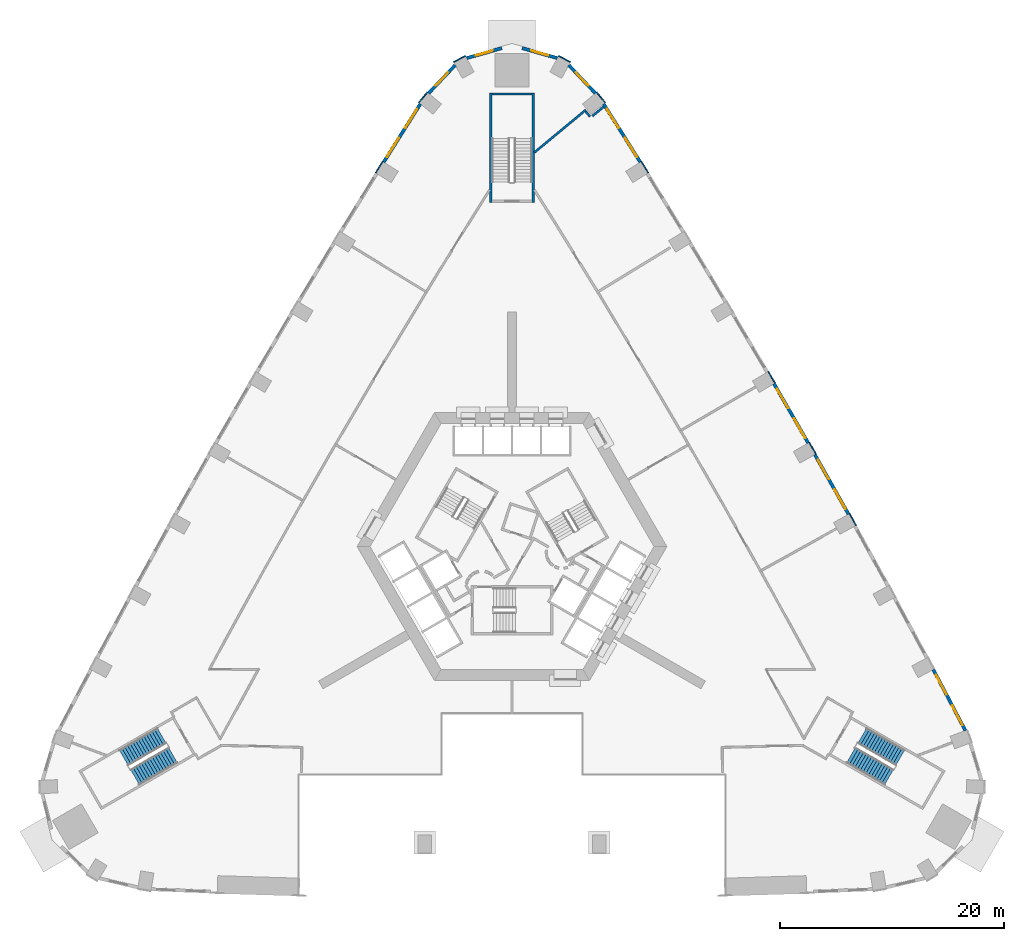
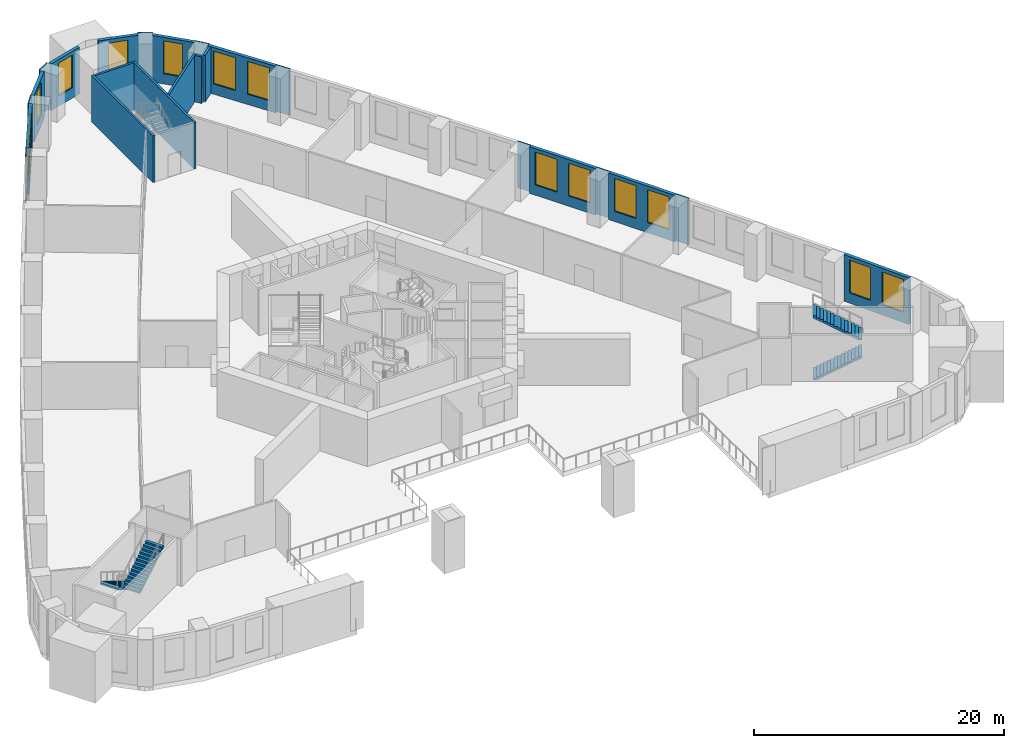
# One storey, part 8 of 16: 24 walls, 14 windows, 4 stair flights, 14 openings, 2 elements without a shape of their own.
"""IFC4 building model written with IfcOpenShell, lengths in metres."""

import ifcopenshell
import ifcopenshell.guid

model = None  # the IFC model being written
_history = None  # IfcOwnerHistory: only IFC2X3 demands one
_inside = {}  # id of a spatial element -> (the spatial element, [elements in it])
_under = {}  # id of a project, library or spatial element -> (it, [spatial elements below it])
_declared = {}  # id of a project -> (the project, [libraries it declares])
_typed = {}  # id of a type object -> (the type object, [elements of that type])
_made_of = {}  # id of a material, layer set ... -> (it, [elements and type objects made of it])


def new_model(schema):
    """Start an empty IFC model of exactly this schema.

    Asked for "IFC4X3", IfcOpenShell would pick the latest addendum, in which some entities
    have other attributes; the version numbers below select the first issue.
    IFC2X3 requires an IfcOwnerHistory on every rooted entity: one is made here for all.
    """
    global model, _history
    if schema == "IFC4X3":
        model = ifcopenshell.file(schema_version=(4, 3, 0, 0))
    else:
        model = ifcopenshell.file(schema=schema)
    _inside.clear()
    _under.clear()
    _declared.clear()
    _typed.clear()
    _made_of.clear()
    _history = None
    if model.schema == "IFC2X3":
        org = make("IfcOrganization", Name="unknown")
        user = make(
            "IfcPersonAndOrganization",
            ThePerson=make("IfcPerson", FamilyName="unknown"),
            TheOrganization=org,
        )
        app = make(
            "IfcApplication",
            ApplicationDeveloper=org,
            Version="unknown",
            ApplicationFullName="unknown",
            ApplicationIdentifier="unknown",
        )
        _history = make(
            "IfcOwnerHistory",
            OwningUser=user,
            OwningApplication=app,
            ChangeAction="ADDED",
            CreationDate=0,
        )
    return model


def make(cls, **values):
    """One entity of the class cls with the attributes given. An attribute that is None is left unset."""
    return model.create_entity(
        cls, **{name: value for name, value in values.items() if value is not None}
    )


def rooted(cls, **values):
    """An entity with a GlobalId (a new one), such as an element, a storey or a relation."""
    return make(cls, GlobalId=ifcopenshell.guid.new(), OwnerHistory=_history, **values)


def si_unit(unit_type, name, prefix=None):
    """IfcSIUnit, for example si_unit("LENGTHUNIT", "METRE", prefix="MILLI")."""
    return make("IfcSIUnit", UnitType=unit_type, Prefix=prefix, Name=name)


def assignment(units):
    """IfcUnitAssignment: the units of a project."""
    return None if units is None else make("IfcUnitAssignment", Units=units)


def point(xyz):
    """IfcCartesianPoint."""
    return None if xyz is None else make("IfcCartesianPoint", Coordinates=xyz)


def direction(xyz):
    """IfcDirection."""
    return None if xyz is None else make("IfcDirection", DirectionRatios=xyz)


def frame(location, z_axis=None, x_axis=None):
    """IfcAxis2Placement3D, a coordinate frame: its origin and axes. An axis left out is left unset."""
    return make(
        "IfcAxis2Placement3D",
        Location=point(location),
        Axis=direction(z_axis),
        RefDirection=direction(x_axis),
    )


def frame_2d(location, x_axis=None):
    """IfcAxis2Placement2D, a coordinate frame in the plane: its origin and x axis."""
    return make(
        "IfcAxis2Placement2D", Location=point(location), RefDirection=direction(x_axis)
    )


def origin():
    """The frame at (0, 0, 0) with its axes left unset."""
    return frame((0.0, 0.0, 0.0))


def place(relative_to, where):
    """IfcLocalPlacement: puts the frame where relative to a parent placement (None: the world)."""
    return make(
        "IfcLocalPlacement", PlacementRelTo=relative_to, RelativePlacement=where
    )


def context(
    kind, dimensions, precision=None, world=None, true_north=None, identifier=None
):
    """IfcGeometricRepresentationContext, for example the 3D "Model" context."""
    return make(
        "IfcGeometricRepresentationContext",
        ContextIdentifier=identifier,
        ContextType=kind,
        CoordinateSpaceDimension=dimensions,
        Precision=precision,
        WorldCoordinateSystem=world,
        TrueNorth=true_north,
    )


def subcontext(parent, identifier, kind, view, scale=None):
    """IfcGeometricRepresentationSubContext, for example "Body" below "Model"."""
    return make(
        "IfcGeometricRepresentationSubContext",
        ContextIdentifier=identifier,
        ContextType=kind,
        ParentContext=parent,
        TargetScale=scale,
        TargetView=view,
    )


def project(units=None, contexts=None):
    """IfcProject with its units and contexts."""
    return rooted(
        "IfcProject",
        Name="project",
        RepresentationContexts=contexts,
        UnitsInContext=assignment(units),
    )


def spatial(cls, under=None, at=None, **own):
    """A site, building, storey or space (cls), placed at a placement, below another one or the project."""
    s = rooted(cls, ObjectPlacement=at, **own)
    if under is not None:
        _under.setdefault(under.id(), (under, []))[1].append(s)
    return s


def polyline(points):
    """IfcPolyline through the points."""
    return make("IfcPolyline", Points=[point(p) for p in points])


def profile(cls, at=None, kind="AREA", **sizes):
    """A parametric profile (cls). Its sizes go by their IFC names, for example OverallWidth=200.0."""
    return make(cls, ProfileType=kind, Position=at, **sizes)


def rectangle(**sizes):
    """IfcRectangleProfileDef."""
    return profile("IfcRectangleProfileDef", **sizes)


def outline(outer, holes=None, kind="AREA"):
    """IfcArbitraryClosedProfileDef: a profile drawn as a closed curve; with holes, ...WithVoids."""
    if holes is None:
        return make("IfcArbitraryClosedProfileDef", ProfileType=kind, OuterCurve=outer)
    return make(
        "IfcArbitraryProfileDefWithVoids",
        ProfileType=kind,
        OuterCurve=outer,
        InnerCurves=holes,
    )


def extrude(swept, where, along, depth):
    """IfcExtrudedAreaSolid: the profile swept, set in the frame where, extruded along a direction by depth."""
    return make(
        "IfcExtrudedAreaSolid",
        SweptArea=swept,
        Position=where,
        ExtrudedDirection=direction(along),
        Depth=depth,
    )


def shape(context_of_items, identifier, shape_type, items):
    """IfcShapeRepresentation: the items that make up one representation, for example the "Body"."""
    return make(
        "IfcShapeRepresentation",
        ContextOfItems=context_of_items,
        RepresentationIdentifier=identifier,
        RepresentationType=shape_type,
        Items=items,
    )


def material(Name=None, Category=None):
    """IfcMaterial."""
    return make("IfcMaterial", Name=Name, Category=Category)


def layer(
    of_material, thickness, ventilated=None, Name=None, Category=None, Priority=None
):
    """IfcMaterialLayer: one layer of a wall or slab, of a material (None: an air gap)."""
    return make(
        "IfcMaterialLayer",
        Material=of_material,
        LayerThickness=thickness,
        IsVentilated=ventilated,
        Name=Name,
        Category=Category,
        Priority=Priority,
    )


def layer_set(layers, Name=None):
    """IfcMaterialLayerSet."""
    return make("IfcMaterialLayerSet", MaterialLayers=layers, LayerSetName=Name)


def made_of(thing, what):
    """Note that an element or type object is made of a material, layer set ...; save() writes the relation."""
    if what is not None:
        _made_of.setdefault(what.id(), (what, []))[1].append(thing)
    return thing


def type_object(cls, material=None, **own):
    """A type object (cls), such as IfcWallType, which elements share."""
    return made_of(rooted(cls, **own), material)


def element(
    cls,
    number,
    at=None,
    inside=None,
    cuts=None,
    type_object=None,
    material=None,
    context=None,
    identifier="Body",
    shape_type=None,
    held_by="IfcProductDefinitionShape",
    body=None,
    shapes=None,
    **own,
):
    """One element of the class cls, such as IfcWall. Its Tag is "e" and its number.

    at: its placement. inside: the storey or other place that contains it. cuts: it is an
    opening in that element (IfcRelVoidsElement). A single representation is given by context,
    identifier, shape_type and body (its items); several are given by shapes. held_by: the class
    of the entity that holds the representations. save() writes the other relations.
    """
    e = rooted(cls, Tag="e%d" % number, ObjectPlacement=at, **own)
    if body is not None:
        shapes = [shape(context, identifier, shape_type, body)]
    if shapes is not None:
        e.Representation = make(held_by, Representations=shapes)
    if inside is not None:
        _inside.setdefault(inside.id(), (inside, []))[1].append(e)
    if cuts is not None:
        rooted(
            "IfcRelVoidsElement", RelatingBuildingElement=cuts, RelatedOpeningElement=e
        )
    if type_object is not None:
        _typed.setdefault(type_object.id(), (type_object, []))[1].append(e)
    return made_of(e, material)


def fill(opening, filler):
    """IfcRelFillsElement: the door or window that sits in an opening."""
    return rooted(
        "IfcRelFillsElement",
        RelatingOpeningElement=opening,
        RelatedBuildingElement=filler,
    )


def aggregate(whole, parts):
    """IfcRelAggregates: a whole, such as a stair, and the parts it consists of."""
    return rooted("IfcRelAggregates", RelatingObject=whole, RelatedObjects=parts)


def save(model, path):
    """Write the relations noted so far, then the file.

    IfcRelAggregates (storeys below a building ...), IfcRelContainedInSpatialStructure (elements
    in a storey), IfcRelDefinesByType, IfcRelAssociatesMaterial and IfcRelDeclares: one each for
    every whole, place, type object, material and project.
    """
    for whole, parts in _under.values():
        aggregate(whole, parts)
    for where, things in _inside.values():
        rooted(
            "IfcRelContainedInSpatialStructure",
            RelatedElements=things,
            RelatingStructure=where,
        )
    for kind, things in _typed.values():
        rooted("IfcRelDefinesByType", RelatedObjects=things, RelatingType=kind)
    for what, things in _made_of.values():
        rooted("IfcRelAssociatesMaterial", RelatedObjects=things, RelatingMaterial=what)
    for by, libraries in _declared.values():
        rooted("IfcRelDeclares", RelatingContext=by, RelatedDefinitions=libraries)
    model.write(path)


model = new_model("IFC4")

# Units and contexts
model_context = context("Model", 3, precision=1e-05, world=origin(), true_north=direction((0.0, 1.0)))
body_context = subcontext(model_context, "Body", "Model", "MODEL_VIEW")
ifc_project = project(units=[si_unit("LENGTHUNIT", "METRE"), si_unit("AREAUNIT", "SQUARE_METRE"), si_unit("VOLUMEUNIT", "CUBIC_METRE"), si_unit("PLANEANGLEUNIT", "RADIAN"), si_unit("MASSUNIT", "GRAM", prefix="KILO")], contexts=[model_context])

# Site, building, storey
site_placement = place(None, origin())
site = spatial("IfcSite", under=ifc_project, at=site_placement, CompositionType="ELEMENT")
building_placement = place(site_placement, origin())
building = spatial("IfcBuilding", under=site, at=building_placement, Name="Entoto Arch Interchange Tower", CompositionType="ELEMENT")
storey_placement = place(building_placement, frame((0.0, 0.0, 15.0)))
storey = spatial("IfcBuildingStorey", under=building, at=storey_placement, Name="L02", CompositionType="ELEMENT", Elevation=15.0)

# Walls
ifc_material_1 = material(Name="Gypsum board partition on steel studs", Category="steel")
ifc_layer_1 = layer(ifc_material_1, 0.199951171875)
ifc_layer_set_1 = layer_set([ifc_layer_1], Name="Gypsum board partition on steel studs")
wall_type_1 = type_object("IfcWallType", Name="PARTITION 200", PredefinedType="PARTITIONING", material=ifc_layer_set_1)
wall_1_placement = place(storey_placement, frame((2.0, 37.758056640625, 0.0), z_axis=(0.0, 0.0, 1.0), x_axis=(0.7702988792, 0.637683022122, 0.0)))
element("IfcWall", 1, at=wall_1_placement, inside=storey, type_object=wall_type_1, Name="wall:L02:p057", PredefinedType="PARTITIONING", context=body_context, shape_type="SweptSolid", body=[
    extrude(rectangle(XDim=5.9794921875, YDim=0.199951171875, at=frame_2d((2.98974609375, 0.0))), origin(), (0.0, 0.0, 1.0), 4.550048828125),
])
wall_2_placement = place(storey_placement, frame((6.593017578125, 41.429931640625, 0.0), z_axis=(0.0, 0.0, 1.0), x_axis=(0.636576557089, -0.771213515808, 0.0)))
element("IfcWall", 2, at=wall_2_placement, inside=storey, type_object=wall_type_1, Name="wall:L02:p058", PredefinedType="PARTITIONING", context=body_context, shape_type="SweptSolid", body=[
    extrude(rectangle(XDim=0.60009765625, YDim=0.199951171875, at=frame_2d((0.300048828125, 0.0))), origin(), (0.0, 0.0, 1.0), 4.550048828125),
])
wall_3_placement = place(storey_placement, frame((7.193115234375, 41.01806640625, 0.0), z_axis=(0.0, 0.0, 1.0), x_axis=(0.77046149962, 0.637486531311, 0.0)))
element("IfcWall", 3, at=wall_3_placement, inside=storey, type_object=wall_type_1, Name="wall:L02:p059", PredefinedType="PARTITIONING", context=body_context, shape_type="SweptSolid", body=[
    extrude(rectangle(XDim=1.29248046875, YDim=0.199951171875, at=frame_2d((0.646240234375, 0.0))), origin(), (0.0, 0.0, 1.0), 4.550048828125),
])
ifc_material_2 = material(Name="Concrete C40/50", Category="concrete")
ifc_layer_2 = layer(ifc_material_2, 0.199951171875)
ifc_layer_set_2 = layer_set([ifc_layer_2], Name="Concrete C40/50")
wall_type_2 = type_object("IfcWallType", Name="STAIR ENCLOSURE WALL 200", PredefinedType="STANDARD", material=ifc_layer_set_2)
for number, where, z_axis, x_axis, name in (
    (4, (1.89990234375, 33.300048828125, 0.0), (0.0, 0.0, 1.0), (0.0, 1.0, 0.0), "Stair wall PST-N left"),
    (5, (-1.89990234375, 33.300048828125, 0.0), (0.0, 0.0, 1.0), (0.0, 1.0, 0.0), "Stair wall PST-N right"),
):
    element("IfcWall", number, at=place(storey_placement, frame(where, z_axis=z_axis, x_axis=x_axis)), inside=storey, type_object=wall_type_2, Name=name, PredefinedType="STANDARD", context=body_context, shape_type="SweptSolid", body=[
        extrude(rectangle(XDim=9.800048828125, YDim=0.199951171875, at=frame_2d((4.89990234375, 0.0))), origin(), (0.0, 0.0, 1.0), 4.550048828125),
    ])
wall_4_placement = place(storey_placement, frame((1.800048828125, 43.0, 0.0), z_axis=(0.0, 0.0, 1.0), x_axis=(-1.0, 0.0, 0.0)))
element("IfcWall", 6, at=wall_4_placement, inside=storey, type_object=wall_type_2, Name="Stair wall PST-N far", PredefinedType="STANDARD", context=body_context, shape_type="SweptSolid", body=[
    extrude(rectangle(XDim=3.60009765625, YDim=0.199951171875, at=frame_2d((1.800048828125, 0.0))), origin(), (0.0, 0.0, 1.0), 4.550048828125),
])

# Wall, openings, windows
ifc_material_3 = material(Name="Welded tuff (ignimbrite) cladding, warm buff", Category="masonry")
ifc_layer_3 = layer(ifc_material_3, 0.300048828125)
ifc_layer_set_3 = layer_set([ifc_layer_3], Name="Welded tuff (ignimbrite) cladding, warm buff")
wall_type_3 = type_object("IfcWallType", Name="STONE INFILL WALL 300", PredefinedType="STANDARD", material=ifc_layer_set_3)
wall_5_placement = place(storey_placement, frame((40.568115234375, -13.9560546875, 0.0), z_axis=(0.0, 0.0, 1.0), x_axis=(-0.466125129602, 0.884718804792, 0.0)))
wall_5 = element("IfcWall", 7, at=wall_5_placement, inside=storey, type_object=wall_type_3, Name="Facade wall NE-01 L02", PredefinedType="STANDARD", context=body_context, shape_type="SweptSolid", body=[
    extrude(rectangle(XDim=6.16357421875, YDim=0.300048828125, at=frame_2d((3.081787109375, 0.0))), origin(), (0.0, 0.0, 1.0), 4.550048828125),
])
opening_1_placement = place(wall_5_placement, frame((0.541015625, 0.0, 1.0)))
opening_1 = element("IfcOpeningElement", 8, at=opening_1_placement, cuts=wall_5, Name="Opening WP-E", PredefinedType="OPENING", context=body_context, shape_type="SweptSolid", body=[
    extrude(rectangle(XDim=2.0, YDim=3.199951171875, at=frame_2d((1.0, 1.60009765625))), frame((0.0, 0.16015625, 0.0), z_axis=(0.0, -1.0, 0.0), x_axis=(1.0, 0.0, 0.0)), (0.0, 0.0, 1.0), 0.320068359375),
])
opening_2_placement = place(wall_5_placement, frame((3.623046875, 0.0, 1.0)))
opening_2 = element("IfcOpeningElement", 9, at=opening_2_placement, cuts=wall_5, Name="Opening WP-E", PredefinedType="OPENING", context=body_context, shape_type="SweptSolid", body=[
    extrude(rectangle(XDim=2.0, YDim=3.199951171875, at=frame_2d((1.0, 1.60009765625))), frame((0.0, 0.16015625, 0.0), z_axis=(0.0, -1.0, 0.0), x_axis=(1.0, 0.0, 0.0)), (0.0, 0.0, 1.0), 0.320068359375),
])
ifc_material_4 = material(Name="Clear glass, low-e double glazed", Category="glass")
window_type_1 = type_object("IfcWindowType", Name="WINDOW WP-E 2000x3200", PartitioningType="DOUBLE_PANEL_VERTICAL", PredefinedType="WINDOW", material=ifc_material_4)
window_1_placement = place(opening_1_placement, origin())
window_1 = element("IfcWindow", 10, at=window_1_placement, inside=storey, type_object=window_type_1, Name="Window WP-E NE-01 L02", OverallHeight=3.199951171875, OverallWidth=2.0, PartitioningType="SINGLE_PANEL", PredefinedType="WINDOW", context=body_context, shape_type="SweptSolid", body=[
    extrude(rectangle(XDim=2.0, YDim=3.199951171875, at=frame_2d((1.0, 1.60009765625))), frame((0.0, 0.030029296875, 0.0), z_axis=(0.0, -1.0, 0.0), x_axis=(1.0, 0.0, 0.0)), (0.0, 0.0, 1.0), 0.06005859375),
])
fill(opening_1, window_1)
window_2_placement = place(opening_2_placement, origin())
window_2 = element("IfcWindow", 11, at=window_2_placement, inside=storey, type_object=window_type_1, Name="Window WP-E NE-01 L02", OverallHeight=3.199951171875, OverallWidth=2.0, PartitioningType="SINGLE_PANEL", PredefinedType="WINDOW", context=body_context, shape_type="SweptSolid", body=[
    extrude(rectangle(XDim=2.0, YDim=3.199951171875, at=frame_2d((1.0, 1.60009765625))), frame((0.0, 0.030029296875, 0.0), z_axis=(0.0, -1.0, 0.0), x_axis=(1.0, 0.0, 0.0)), (0.0, 0.0, 1.0), 0.06005859375),
])
fill(opening_2, window_2)

wall_6_placement = place(storey_placement, frame((30.111083984375, 5.39892578125, 0.0), z_axis=(0.0, 0.0, 1.0), x_axis=(-0.491661677717, 0.870786308267, 0.0)))
wall_6 = element("IfcWall", 12, at=wall_6_placement, inside=storey, type_object=wall_type_3, Name="Facade wall NE-04 L02", PredefinedType="STANDARD", context=body_context, shape_type="SweptSolid", body=[
    extrude(rectangle(XDim=6.1220703125, YDim=0.300048828125, at=frame_2d((3.06103515625, 0.0))), origin(), (0.0, 0.0, 1.0), 4.550048828125),
])
opening_3_placement = place(wall_6_placement, frame((0.531005859375, 0.0, 1.0)))
opening_3 = element("IfcOpeningElement", 13, at=opening_3_placement, cuts=wall_6, Name="Opening WP-E", PredefinedType="OPENING", context=body_context, shape_type="SweptSolid", body=[
    extrude(rectangle(XDim=2.0, YDim=3.199951171875, at=frame_2d((1.0, 1.60009765625))), frame((0.0, 0.16015625, 0.0), z_axis=(0.0, -1.0, 0.0), x_axis=(1.0, 0.0, 0.0)), (0.0, 0.0, 1.0), 0.320068359375),
])
opening_4_placement = place(wall_6_placement, frame((3.592041015625, 0.0, 1.0)))
opening_4 = element("IfcOpeningElement", 14, at=opening_4_placement, cuts=wall_6, Name="Opening WP-E", PredefinedType="OPENING", context=body_context, shape_type="SweptSolid", body=[
    extrude(rectangle(XDim=2.0, YDim=3.199951171875, at=frame_2d((1.0, 1.60009765625))), frame((0.0, 0.16015625, 0.0), z_axis=(0.0, -1.0, 0.0), x_axis=(1.0, 0.0, 0.0)), (0.0, 0.0, 1.0), 0.320068359375),
])
window_3_placement = place(opening_3_placement, origin())
window_3 = element("IfcWindow", 15, at=window_3_placement, inside=storey, type_object=window_type_1, Name="Window WP-E NE-04 L02", OverallHeight=3.199951171875, OverallWidth=2.0, PartitioningType="SINGLE_PANEL", PredefinedType="WINDOW", context=body_context, shape_type="SweptSolid", body=[
    extrude(rectangle(XDim=2.0, YDim=3.199951171875, at=frame_2d((1.0, 1.60009765625))), frame((0.0, 0.030029296875, 0.0), z_axis=(0.0, -1.0, 0.0), x_axis=(1.0, 0.0, 0.0)), (0.0, 0.0, 1.0), 0.06005859375),
])
fill(opening_3, window_3)
window_4_placement = place(opening_4_placement, origin())
window_4 = element("IfcWindow", 16, at=window_4_placement, inside=storey, type_object=window_type_1, Name="Window WP-E NE-04 L02", OverallHeight=3.199951171875, OverallWidth=2.0, PartitioningType="SINGLE_PANEL", PredefinedType="WINDOW", context=body_context, shape_type="SweptSolid", body=[
    extrude(rectangle(XDim=2.0, YDim=3.199951171875, at=frame_2d((1.0, 1.60009765625))), frame((0.0, 0.030029296875, 0.0), z_axis=(0.0, -1.0, 0.0), x_axis=(1.0, 0.0, 0.0)), (0.0, 0.0, 1.0), 0.06005859375),
])
fill(opening_4, window_4)

wall_7_placement = place(storey_placement, frame((26.507080078125, 11.77001953125, 0.0), z_axis=(0.0, 0.0, 1.0), x_axis=(-0.499939977436, 0.866060055055, 0.0)))
wall_7 = element("IfcWall", 17, at=wall_7_placement, inside=storey, type_object=wall_type_3, Name="Facade wall NE-05 L02", PredefinedType="STANDARD", context=body_context, shape_type="SweptSolid", body=[
    extrude(rectangle(XDim=6.120849609375, YDim=0.300048828125, at=frame_2d((3.060546875, 0.0))), origin(), (0.0, 0.0, 1.0), 4.550048828125),
])
opening_5_placement = place(wall_7_placement, frame((0.530029296875, 0.0, 1.0)))
opening_5 = element("IfcOpeningElement", 18, at=opening_5_placement, cuts=wall_7, Name="Opening WP-E", PredefinedType="OPENING", context=body_context, shape_type="SweptSolid", body=[
    extrude(rectangle(XDim=2.0, YDim=3.199951171875, at=frame_2d((1.0, 1.60009765625))), frame((0.0, 0.16015625, 0.0), z_axis=(0.0, -1.0, 0.0), x_axis=(1.0, 0.0, 0.0)), (0.0, 0.0, 1.0), 0.320068359375),
])
opening_6_placement = place(wall_7_placement, frame((3.591064453125, 0.0, 1.0)))
opening_6 = element("IfcOpeningElement", 19, at=opening_6_placement, cuts=wall_7, Name="Opening WP-E", PredefinedType="OPENING", context=body_context, shape_type="SweptSolid", body=[
    extrude(rectangle(XDim=2.0, YDim=3.199951171875, at=frame_2d((1.0, 1.60009765625))), frame((0.0, 0.16015625, 0.0), z_axis=(0.0, -1.0, 0.0), x_axis=(1.0, 0.0, 0.0)), (0.0, 0.0, 1.0), 0.320068359375),
])
window_5_placement = place(opening_5_placement, origin())
window_5 = element("IfcWindow", 20, at=window_5_placement, inside=storey, type_object=window_type_1, Name="Window WP-E NE-05 L02", OverallHeight=3.199951171875, OverallWidth=2.0, PartitioningType="SINGLE_PANEL", PredefinedType="WINDOW", context=body_context, shape_type="SweptSolid", body=[
    extrude(rectangle(XDim=2.0, YDim=3.199951171875, at=frame_2d((1.0, 1.60009765625))), frame((0.0, 0.030029296875, 0.0), z_axis=(0.0, -1.0, 0.0), x_axis=(1.0, 0.0, 0.0)), (0.0, 0.0, 1.0), 0.06005859375),
])
fill(opening_5, window_5)
window_6_placement = place(opening_6_placement, origin())
window_6 = element("IfcWindow", 21, at=window_6_placement, inside=storey, type_object=window_type_1, Name="Window WP-E NE-05 L02", OverallHeight=3.199951171875, OverallWidth=2.0, PartitioningType="SINGLE_PANEL", PredefinedType="WINDOW", context=body_context, shape_type="SweptSolid", body=[
    extrude(rectangle(XDim=2.0, YDim=3.199951171875, at=frame_2d((1.0, 1.60009765625))), frame((0.0, 0.030029296875, 0.0), z_axis=(0.0, -1.0, 0.0), x_axis=(1.0, 0.0, 0.0)), (0.0, 0.0, 1.0), 0.06005859375),
])
fill(opening_6, window_6)

wall_8_placement = place(storey_placement, frame((11.48291015625, 36.89697265625, 0.0), z_axis=(0.0, 0.0, 1.0), x_axis=(-0.53304020879, 0.846089910006, 0.0)))
wall_8 = element("IfcWall", 22, at=wall_8_placement, inside=storey, type_object=wall_type_3, Name="Facade wall NE-09 L02", PredefinedType="STANDARD", context=body_context, shape_type="SweptSolid", body=[
    extrude(rectangle(XDim=6.16259765625, YDim=0.300048828125, at=frame_2d((3.081298828125, 0.0))), origin(), (0.0, 0.0, 1.0), 4.550048828125),
])
opening_7_placement = place(wall_8_placement, frame((0.541015625, 0.0, 1.0)))
opening_7 = element("IfcOpeningElement", 23, at=opening_7_placement, cuts=wall_8, Name="Opening WP-E", PredefinedType="OPENING", context=body_context, shape_type="SweptSolid", body=[
    extrude(rectangle(XDim=2.0, YDim=3.199951171875, at=frame_2d((1.0, 1.60009765625))), frame((0.0, 0.16015625, 0.0), z_axis=(0.0, -1.0, 0.0), x_axis=(1.0, 0.0, 0.0)), (0.0, 0.0, 1.0), 0.320068359375),
])
opening_8_placement = place(wall_8_placement, frame((3.6220703125, 0.0, 1.0)))
opening_8 = element("IfcOpeningElement", 24, at=opening_8_placement, cuts=wall_8, Name="Opening WP-E", PredefinedType="OPENING", context=body_context, shape_type="SweptSolid", body=[
    extrude(rectangle(XDim=2.0, YDim=3.199951171875, at=frame_2d((1.0, 1.60009765625))), frame((0.0, 0.16015625, 0.0), z_axis=(0.0, -1.0, 0.0), x_axis=(1.0, 0.0, 0.0)), (0.0, 0.0, 1.0), 0.320068359375),
])
window_7_placement = place(opening_7_placement, origin())
window_7 = element("IfcWindow", 25, at=window_7_placement, inside=storey, type_object=window_type_1, Name="Window WP-E NE-09 L02", OverallHeight=3.199951171875, OverallWidth=2.0, PartitioningType="SINGLE_PANEL", PredefinedType="WINDOW", context=body_context, shape_type="SweptSolid", body=[
    extrude(rectangle(XDim=2.0, YDim=3.199951171875, at=frame_2d((1.0, 1.60009765625))), frame((0.0, 0.030029296875, 0.0), z_axis=(0.0, -1.0, 0.0), x_axis=(1.0, 0.0, 0.0)), (0.0, 0.0, 1.0), 0.06005859375),
])
fill(opening_7, window_7)
window_8_placement = place(opening_8_placement, origin())
window_8 = element("IfcWindow", 26, at=window_8_placement, inside=storey, type_object=window_type_1, Name="Window WP-E NE-09 L02", OverallHeight=3.199951171875, OverallWidth=2.0, PartitioningType="SINGLE_PANEL", PredefinedType="WINDOW", context=body_context, shape_type="SweptSolid", body=[
    extrude(rectangle(XDim=2.0, YDim=3.199951171875, at=frame_2d((1.0, 1.60009765625))), frame((0.0, 0.030029296875, 0.0), z_axis=(0.0, -1.0, 0.0), x_axis=(1.0, 0.0, 0.0)), (0.0, 0.0, 1.0), 0.06005859375),
])
fill(opening_8, window_8)

# Wall, opening, window
wall_9_placement = place(storey_placement, frame((7.464111328125, 43.05810546875, 0.0), z_axis=(0.0, 0.0, 1.0), x_axis=(-0.687081126245, 0.726580708495, 0.0)))
wall_9 = element("IfcWall", 27, at=wall_9_placement, inside=storey, type_object=wall_type_3, Name="Facade wall N-01 L02", PredefinedType="STANDARD", context=body_context, shape_type="SweptSolid", body=[
    extrude(rectangle(XDim=3.461181640625, YDim=0.300048828125, at=frame_2d((1.73046875, 0.0))), origin(), (0.0, 0.0, 1.0), 4.550048828125),
])
opening_9_placement = place(wall_9_placement, frame((0.930908203125, 0.0, 1.0)))
opening_9 = element("IfcOpeningElement", 28, at=opening_9_placement, cuts=wall_9, Name="Opening WP-C", PredefinedType="OPENING", context=body_context, shape_type="SweptSolid", body=[
    extrude(rectangle(XDim=1.60009765625, YDim=3.199951171875, at=frame_2d((0.800048828125, 1.60009765625))), frame((0.0, 0.16015625, 0.0), z_axis=(0.0, -1.0, 0.0), x_axis=(1.0, 0.0, 0.0)), (0.0, 0.0, 1.0), 0.320068359375),
])
window_type_2 = type_object("IfcWindowType", Name="WINDOW WP-C 1600x3200", PartitioningType="DOUBLE_PANEL_VERTICAL", PredefinedType="WINDOW", material=ifc_material_4)
window_9_placement = place(opening_9_placement, origin())
window_9 = element("IfcWindow", 29, at=window_9_placement, inside=storey, type_object=window_type_2, Name="Window WP-C N-01 L02", OverallHeight=3.199951171875, OverallWidth=1.60009765625, PartitioningType="SINGLE_PANEL", PredefinedType="WINDOW", context=body_context, shape_type="SweptSolid", body=[
    extrude(rectangle(XDim=1.60009765625, YDim=3.199951171875, at=frame_2d((0.800048828125, 1.60009765625))), frame((0.0, 0.030029296875, 0.0), z_axis=(0.0, -1.0, 0.0), x_axis=(1.0, 0.0, 0.0)), (0.0, 0.0, 1.0), 0.06005859375),
])
fill(opening_9, window_9)

wall_10_placement = place(storey_placement, frame((4.06396484375, 46.201904296875, 0.0), z_axis=(0.0, 0.0, 1.0), x_axis=(-0.961934470867, 0.273280211062, 0.0)))
wall_10 = element("IfcWall", 30, at=wall_10_placement, inside=storey, type_object=wall_type_3, Name="Facade wall N-02 L02", PredefinedType="STANDARD", context=body_context, shape_type="SweptSolid", body=[
    extrude(rectangle(XDim=3.290283203125, YDim=0.300048828125, at=frame_2d((1.64501953125, 0.0))), origin(), (0.0, 0.0, 1.0), 4.550048828125),
])
opening_10_placement = place(wall_10_placement, frame((0.844970703125, 0.0, 1.0)))
opening_10 = element("IfcOpeningElement", 31, at=opening_10_placement, cuts=wall_10, Name="Opening WP-C", PredefinedType="OPENING", context=body_context, shape_type="SweptSolid", body=[
    extrude(rectangle(XDim=1.60009765625, YDim=3.199951171875, at=frame_2d((0.800048828125, 1.60009765625))), frame((0.0, 0.16015625, 0.0), z_axis=(0.0, -1.0, 0.0), x_axis=(1.0, 0.0, 0.0)), (0.0, 0.0, 1.0), 0.320068359375),
])
window_10_placement = place(opening_10_placement, origin())
window_10 = element("IfcWindow", 32, at=window_10_placement, inside=storey, type_object=window_type_2, Name="Window WP-C N-02 L02", OverallHeight=3.199951171875, OverallWidth=1.60009765625, PartitioningType="SINGLE_PANEL", PredefinedType="WINDOW", context=body_context, shape_type="SweptSolid", body=[
    extrude(rectangle(XDim=1.60009765625, YDim=3.199951171875, at=frame_2d((0.800048828125, 1.60009765625))), frame((0.0, 0.030029296875, 0.0), z_axis=(0.0, -1.0, 0.0), x_axis=(1.0, 0.0, 0.0)), (0.0, 0.0, 1.0), 0.06005859375),
])
fill(opening_10, window_10)

wall_11_placement = place(storey_placement, frame((-0.89892578125, 47.10107421875, 0.0), z_axis=(0.0, 0.0, 1.0), x_axis=(-0.961934470867, -0.273280211062, 0.0)))
wall_11 = element("IfcWall", 33, at=wall_11_placement, inside=storey, type_object=wall_type_3, Name="Facade wall N-03 L02", PredefinedType="STANDARD", context=body_context, shape_type="SweptSolid", body=[
    extrude(rectangle(XDim=3.290283203125, YDim=0.300048828125, at=frame_2d((1.64501953125, 0.0))), origin(), (0.0, 0.0, 1.0), 4.550048828125),
])
opening_11_placement = place(wall_11_placement, frame((0.844970703125, 0.0, 1.0)))
opening_11 = element("IfcOpeningElement", 34, at=opening_11_placement, cuts=wall_11, Name="Opening WP-C", PredefinedType="OPENING", context=body_context, shape_type="SweptSolid", body=[
    extrude(rectangle(XDim=1.60009765625, YDim=3.199951171875, at=frame_2d((0.800048828125, 1.60009765625))), frame((0.0, 0.16015625, 0.0), z_axis=(0.0, -1.0, 0.0), x_axis=(1.0, 0.0, 0.0)), (0.0, 0.0, 1.0), 0.320068359375),
])
window_11_placement = place(opening_11_placement, origin())
window_11 = element("IfcWindow", 35, at=window_11_placement, inside=storey, type_object=window_type_2, Name="Window WP-C N-03 L02", OverallHeight=3.199951171875, OverallWidth=1.60009765625, PartitioningType="SINGLE_PANEL", PredefinedType="WINDOW", context=body_context, shape_type="SweptSolid", body=[
    extrude(rectangle(XDim=1.60009765625, YDim=3.199951171875, at=frame_2d((0.800048828125, 1.60009765625))), frame((0.0, 0.030029296875, 0.0), z_axis=(0.0, -1.0, 0.0), x_axis=(1.0, 0.0, 0.0)), (0.0, 0.0, 1.0), 0.06005859375),
])
fill(opening_11, window_11)

wall_12_placement = place(storey_placement, frame((-5.0859375, 45.572998046875, 0.0), z_axis=(0.0, 0.0, 1.0), x_axis=(-0.687081126245, -0.726580708495, 0.0)))
wall_12 = element("IfcWall", 36, at=wall_12_placement, inside=storey, type_object=wall_type_3, Name="Facade wall N-04 L02", PredefinedType="STANDARD", context=body_context, shape_type="SweptSolid", body=[
    extrude(rectangle(XDim=3.461181640625, YDim=0.300048828125, at=frame_2d((1.73046875, 0.0))), origin(), (0.0, 0.0, 1.0), 4.550048828125),
])
opening_12_placement = place(wall_12_placement, frame((0.930908203125, 0.0, 1.0)))
opening_12 = element("IfcOpeningElement", 37, at=opening_12_placement, cuts=wall_12, Name="Opening WP-C", PredefinedType="OPENING", context=body_context, shape_type="SweptSolid", body=[
    extrude(rectangle(XDim=1.60009765625, YDim=3.199951171875, at=frame_2d((0.800048828125, 1.60009765625))), frame((0.0, 0.16015625, 0.0), z_axis=(0.0, -1.0, 0.0), x_axis=(1.0, 0.0, 0.0)), (0.0, 0.0, 1.0), 0.320068359375),
])
window_12_placement = place(opening_12_placement, origin())
window_12 = element("IfcWindow", 38, at=window_12_placement, inside=storey, type_object=window_type_2, Name="Window WP-C N-04 L02", OverallHeight=3.199951171875, OverallWidth=1.60009765625, PartitioningType="SINGLE_PANEL", PredefinedType="WINDOW", context=body_context, shape_type="SweptSolid", body=[
    extrude(rectangle(XDim=1.60009765625, YDim=3.199951171875, at=frame_2d((0.800048828125, 1.60009765625))), frame((0.0, 0.030029296875, 0.0), z_axis=(0.0, -1.0, 0.0), x_axis=(1.0, 0.0, 0.0)), (0.0, 0.0, 1.0), 0.06005859375),
])
fill(opening_12, window_12)

# Wall, openings, windows
wall_13_placement = place(storey_placement, frame((-8.197998046875, 42.111083984375, 0.0), z_axis=(0.0, 0.0, 1.0), x_axis=(-0.53304020879, -0.846089910006, 0.0)))
wall_13 = element("IfcWall", 39, at=wall_13_placement, inside=storey, type_object=wall_type_3, Name="Facade wall NW-01 L02", PredefinedType="STANDARD", context=body_context, shape_type="SweptSolid", body=[
    extrude(rectangle(XDim=6.16259765625, YDim=0.300048828125, at=frame_2d((3.081298828125, 0.0))), origin(), (0.0, 0.0, 1.0), 4.550048828125),
])
opening_13_placement = place(wall_13_placement, frame((0.541015625, 0.0, 1.0)))
opening_13 = element("IfcOpeningElement", 40, at=opening_13_placement, cuts=wall_13, Name="Opening WP-E", PredefinedType="OPENING", context=body_context, shape_type="SweptSolid", body=[
    extrude(rectangle(XDim=2.0, YDim=3.199951171875, at=frame_2d((1.0, 1.60009765625))), frame((0.0, 0.16015625, 0.0), z_axis=(0.0, -1.0, 0.0), x_axis=(1.0, 0.0, 0.0)), (0.0, 0.0, 1.0), 0.320068359375),
])
opening_14_placement = place(wall_13_placement, frame((3.6220703125, 0.0, 1.0)))
opening_14 = element("IfcOpeningElement", 41, at=opening_14_placement, cuts=wall_13, Name="Opening WP-E", PredefinedType="OPENING", context=body_context, shape_type="SweptSolid", body=[
    extrude(rectangle(XDim=2.0, YDim=3.199951171875, at=frame_2d((1.0, 1.60009765625))), frame((0.0, 0.16015625, 0.0), z_axis=(0.0, -1.0, 0.0), x_axis=(1.0, 0.0, 0.0)), (0.0, 0.0, 1.0), 0.320068359375),
])
window_13_placement = place(opening_13_placement, origin())
window_13 = element("IfcWindow", 42, at=window_13_placement, inside=storey, type_object=window_type_1, Name="Window WP-E NW-01 L02", OverallHeight=3.199951171875, OverallWidth=2.0, PartitioningType="SINGLE_PANEL", PredefinedType="WINDOW", context=body_context, shape_type="SweptSolid", body=[
    extrude(rectangle(XDim=2.0, YDim=3.199951171875, at=frame_2d((1.0, 1.60009765625))), frame((0.0, 0.030029296875, 0.0), z_axis=(0.0, -1.0, 0.0), x_axis=(1.0, 0.0, 0.0)), (0.0, 0.0, 1.0), 0.06005859375),
])
fill(opening_13, window_13)
window_14_placement = place(opening_14_placement, origin())
window_14 = element("IfcWindow", 43, at=window_14_placement, inside=storey, type_object=window_type_1, Name="Window WP-E NW-01 L02", OverallHeight=3.199951171875, OverallWidth=2.0, PartitioningType="SINGLE_PANEL", PredefinedType="WINDOW", context=body_context, shape_type="SweptSolid", body=[
    extrude(rectangle(XDim=2.0, YDim=3.199951171875, at=frame_2d((1.0, 1.60009765625))), frame((0.0, 0.030029296875, 0.0), z_axis=(0.0, -1.0, 0.0), x_axis=(1.0, 0.0, 0.0)), (0.0, 0.0, 1.0), 0.06005859375),
])
fill(opening_14, window_14)

# Walls
ifc_layer_4 = layer(ifc_material_3, 0.10009765625)
ifc_layer_set_4 = layer_set([ifc_layer_4], Name="Welded tuff (ignimbrite) cladding, warm buff")
wall_type_4 = type_object("IfcWallType", Name="STONE PIER CLADDING 100", PredefinedType="STANDARD", material=ifc_layer_set_4)
for number, where, z_axis, x_axis, name in (
    (44, (5.23095703125, 45.8369140625, 0.0), (0.0, 0.0, 1.0), (-0.877069725045, 0.480363089141, 0.0), "Stone pier N1 L02"),
    (45, (-4.178955078125, 46.4130859375, 0.0), (0.0, 0.0, 1.0), (-0.877069725045, -0.480363089141, 0.0), "Stone pier N3 L02"),
):
    element("IfcWall", number, at=place(storey_placement, frame(where, z_axis=z_axis, x_axis=x_axis)), inside=storey, type_object=wall_type_4, Name=name, PredefinedType="STANDARD", context=body_context, shape_type="SweptSolid", body=[
        extrude(rectangle(XDim=1.199462890625, YDim=0.10009765625, at=frame_2d((0.599609375, 0.0))), origin(), (0.0, 0.0, 1.0), 4.550048828125),
    ])
wall_14_placement = place(storey_placement, frame((30.783935546875, 4.402099609375, 0.0), z_axis=(0.0, 0.0, 1.0), x_axis=(-0.486817526853, 0.873503689488, 0.0)))
element("IfcWall", 46, at=wall_14_placement, inside=storey, type_object=wall_type_4, Name="Stone pier NE04 L02", PredefinedType="STANDARD", context=body_context, shape_type="SweptSolid", body=[
    extrude(rectangle(XDim=1.19970703125, YDim=0.10009765625, at=frame_2d((0.599853515625, 0.0))), origin(), (0.0, 0.0, 1.0), 4.550048828125),
])
wall_15_placement = place(storey_placement, frame((27.19091796875, 10.780029296875, 0.0), z_axis=(0.0, 0.0, 1.0), x_axis=(-0.495854054996, 0.868405870629, 0.0)))
element("IfcWall", 47, at=wall_15_placement, inside=storey, type_object=wall_type_4, Name="Stone pier NE05 L02", PredefinedType="STANDARD", context=body_context, shape_type="SweptSolid", body=[
    extrude(rectangle(XDim=1.199951171875, YDim=0.10009765625, at=frame_2d((0.60009765625, 0.0))), origin(), (0.0, 0.0, 1.0), 4.550048828125),
])
wall_16_placement = place(storey_placement, frame((23.535888671875, 17.1220703125, 0.0), z_axis=(0.0, 0.0, 1.0), x_axis=(-0.504313844903, 0.863520437418, 0.0)))
element("IfcWall", 48, at=wall_16_placement, inside=storey, type_object=wall_type_4, Name="Stone pier NE06 L02", PredefinedType="STANDARD", context=body_context, shape_type="SweptSolid", body=[
    extrude(rectangle(XDim=1.19970703125, YDim=0.10009765625, at=frame_2d((0.599853515625, 0.0))), origin(), (0.0, 0.0, 1.0), 4.550048828125),
])
for number, where, z_axis, x_axis, name in (
    (49, (12.2060546875, 35.93505859375, 0.0), (0.0, 0.0, 1.0), (-0.530273374944, 0.847826720401, 0.0), "Stone pier NE09 L02"),
    (50, (8.3359375, 42.22412109375, 0.0), (0.0, 0.0, 1.0), (-0.637738500874, 0.77025294839, 0.0), "Stone pier NE10 L02"),
    (51, (-7.571044921875, 43.14794921875, 0.0), (0.0, 0.0, 1.0), (-0.637738500874, -0.77025294839, 0.0), "Stone pier NW01 L02"),
    (52, (-11.570068359375, 36.951904296875, 0.0), (0.0, 0.0, 1.0), (-0.530273374944, -0.847826720401, 0.0), "Stone pier NW02 L02"),
):
    element("IfcWall", number, at=place(storey_placement, frame(where, z_axis=z_axis, x_axis=x_axis)), inside=storey, type_object=wall_type_4, Name=name, PredefinedType="STANDARD", context=body_context, shape_type="SweptSolid", body=[
        extrude(rectangle(XDim=1.199462890625, YDim=0.10009765625, at=frame_2d((0.599609375, 0.0))), origin(), (0.0, 0.0, 1.0), 4.550048828125),
    ])

# Stair, stair flights
stair_type = type_object("IfcStairType", Name="PODIUM EXIT STAIR RC 1600", PredefinedType="HALF_TURN_STAIR", material=ifc_material_2)
stair_1_placement = place(storey_placement, origin())
stair_1 = element("IfcStair", 53, at=stair_1_placement, inside=storey, type_object=stair_type, Name="L02 Podium exit stair south-west", PredefinedType="HALF_TURN_STAIR")
stair_flight_type = type_object("IfcStairFlightType", Name="PODIUM EXIT STAIR FLIGHT RC", PredefinedType="STRAIGHT", material=ifc_material_2)
stair_flight_1_placement = place(storey_placement, frame((-31.33056640625, -14.43408203125, 0.0), z_axis=(0.0, 0.0, 1.0), x_axis=(-0.866025403784, -0.5, 0.0)))
stair_flight_1 = element("IfcStairFlight", 54, at=stair_flight_1_placement, type_object=stair_flight_type, Name="PST-SW flight 1", NumberOfRisers=15, NumberOfTreads=14, PredefinedType="STRAIGHT", RiserHeight=0.166666667, TreadLength=0.28, context=body_context, shape_type="SweptSolid", body=[
    extrude(outline(polyline([(-0.0029296875, 0.0), (-0.0029296875, 0.166748046875), (0.280029296875, 0.166748046875), (0.280029296875, 0.333251953125), (0.56005859375, 0.333251953125), (0.56005859375, 0.5), (0.840087890625, 0.5), (0.840087890625, 0.666748046875), (1.1201171875, 0.666748046875), (1.1201171875, 0.833251953125), (1.39990234375, 0.833251953125), (1.39990234375, 1.0), (1.679931640625, 1.0), (1.679931640625, 1.166748046875), (1.9599609375, 1.166748046875), (1.9599609375, 1.333251953125), (2.239990234375, 1.333251953125), (2.239990234375, 1.5), (2.52001953125, 1.5), (2.52001953125, 1.666748046875), (2.800048828125, 1.666748046875), (2.800048828125, 1.833251953125), (3.080078125, 1.833251953125), (3.080078125, 2.0), (3.360107421875, 2.0), (3.360107421875, 2.166748046875), (3.639892578125, 2.166748046875), (3.639892578125, 2.333251953125), (3.919921875, 2.333251953125), (3.923095703125, 2.333251953125), (3.923095703125, 2.16064453125), (0.29296875, 0.0), (-0.0029296875, 0.0)])), frame((0.0, 0.800048828125, 0.0), z_axis=(0.0, -1.0, 0.0), x_axis=(1.0, 0.0, 0.0)), (0.0, 0.0, 1.0), 1.60009765625),
])
stair_flight_2_placement = place(storey_placement, frame((-33.725341796875, -18.1259765625, 2.5), z_axis=(0.0, 0.0, 1.0), x_axis=(0.866025403784, 0.5, 0.0)))
stair_flight_2 = element("IfcStairFlight", 55, at=stair_flight_2_placement, type_object=stair_flight_type, Name="PST-SW flight 2", NumberOfRisers=15, NumberOfTreads=14, PredefinedType="STRAIGHT", RiserHeight=0.166666667, TreadLength=0.28, context=body_context, shape_type="SweptSolid", body=[
    extrude(outline(polyline([(-0.0029296875, 0.0), (-0.0029296875, 0.166748046875), (0.280029296875, 0.166748046875), (0.280029296875, 0.333251953125), (0.56005859375, 0.333251953125), (0.56005859375, 0.5), (0.840087890625, 0.5), (0.840087890625, 0.666748046875), (1.1201171875, 0.666748046875), (1.1201171875, 0.833251953125), (1.39990234375, 0.833251953125), (1.39990234375, 1.0), (1.679931640625, 1.0), (1.679931640625, 1.166748046875), (1.9599609375, 1.166748046875), (1.9599609375, 1.333251953125), (2.239990234375, 1.333251953125), (2.239990234375, 1.5), (2.52001953125, 1.5), (2.52001953125, 1.666748046875), (2.800048828125, 1.666748046875), (2.800048828125, 1.833251953125), (3.080078125, 1.833251953125), (3.080078125, 2.0), (3.360107421875, 2.0), (3.360107421875, 2.166748046875), (3.639892578125, 2.166748046875), (3.639892578125, 2.333251953125), (3.919921875, 2.333251953125), (3.923095703125, 2.333251953125), (3.923095703125, 2.16064453125), (0.29296875, 0.0), (-0.0029296875, 0.0)])), frame((0.0, 0.800048828125, 0.0), z_axis=(0.0, -1.0, 0.0), x_axis=(1.0, 0.0, 0.0)), (0.0, 0.0, 1.0), 1.60009765625),
])
aggregate(stair_1, [stair_flight_1, stair_flight_2])

stair_2_placement = place(storey_placement, origin())
stair_2 = element("IfcStair", 56, at=stair_2_placement, inside=storey, type_object=stair_type, Name="L02 Podium exit stair south-east", PredefinedType="HALF_TURN_STAIR")
stair_flight_3_placement = place(storey_placement, frame((30.33056640625, -16.166015625, 0.0), z_axis=(0.0, 0.0, 1.0), x_axis=(0.866025403784, -0.5, 0.0)))
stair_flight_3 = element("IfcStairFlight", 57, at=stair_flight_3_placement, type_object=stair_flight_type, Name="PST-SE flight 1", NumberOfRisers=15, NumberOfTreads=14, PredefinedType="STRAIGHT", RiserHeight=0.166666667, TreadLength=0.28, context=body_context, shape_type="SweptSolid", body=[
    extrude(outline(polyline([(-0.0029296875, 0.0), (-0.0029296875, 0.166748046875), (0.280029296875, 0.166748046875), (0.280029296875, 0.333251953125), (0.56005859375, 0.333251953125), (0.56005859375, 0.5), (0.840087890625, 0.5), (0.840087890625, 0.666748046875), (1.1201171875, 0.666748046875), (1.1201171875, 0.833251953125), (1.39990234375, 0.833251953125), (1.39990234375, 1.0), (1.679931640625, 1.0), (1.679931640625, 1.166748046875), (1.9599609375, 1.166748046875), (1.9599609375, 1.333251953125), (2.239990234375, 1.333251953125), (2.239990234375, 1.5), (2.52001953125, 1.5), (2.52001953125, 1.666748046875), (2.800048828125, 1.666748046875), (2.800048828125, 1.833251953125), (3.080078125, 1.833251953125), (3.080078125, 2.0), (3.360107421875, 2.0), (3.360107421875, 2.166748046875), (3.639892578125, 2.166748046875), (3.639892578125, 2.333251953125), (3.919921875, 2.333251953125), (3.923095703125, 2.333251953125), (3.923095703125, 2.16064453125), (0.29296875, 0.0), (-0.0029296875, 0.0)])), frame((0.0, 0.800048828125, 0.0), z_axis=(0.0, -1.0, 0.0), x_axis=(1.0, 0.0, 0.0)), (0.0, 0.0, 1.0), 1.60009765625),
])
stair_flight_4_placement = place(storey_placement, frame((34.725341796875, -16.39404296875, 2.5), z_axis=(0.0, 0.0, 1.0), x_axis=(-0.866025403784, 0.5, 0.0)))
stair_flight_4 = element("IfcStairFlight", 58, at=stair_flight_4_placement, type_object=stair_flight_type, Name="PST-SE flight 2", NumberOfRisers=15, NumberOfTreads=14, PredefinedType="STRAIGHT", RiserHeight=0.166666667, TreadLength=0.28, context=body_context, shape_type="SweptSolid", body=[
    extrude(outline(polyline([(-0.0029296875, 0.0), (-0.0029296875, 0.166748046875), (0.280029296875, 0.166748046875), (0.280029296875, 0.333251953125), (0.56005859375, 0.333251953125), (0.56005859375, 0.5), (0.840087890625, 0.5), (0.840087890625, 0.666748046875), (1.1201171875, 0.666748046875), (1.1201171875, 0.833251953125), (1.39990234375, 0.833251953125), (1.39990234375, 1.0), (1.679931640625, 1.0), (1.679931640625, 1.166748046875), (1.9599609375, 1.166748046875), (1.9599609375, 1.333251953125), (2.239990234375, 1.333251953125), (2.239990234375, 1.5), (2.52001953125, 1.5), (2.52001953125, 1.666748046875), (2.800048828125, 1.666748046875), (2.800048828125, 1.833251953125), (3.080078125, 1.833251953125), (3.080078125, 2.0), (3.360107421875, 2.0), (3.360107421875, 2.166748046875), (3.639892578125, 2.166748046875), (3.639892578125, 2.333251953125), (3.919921875, 2.333251953125), (3.923095703125, 2.333251953125), (3.923095703125, 2.16064453125), (0.29296875, 0.0), (-0.0029296875, 0.0)])), frame((0.0, 0.800048828125, 0.0), z_axis=(0.0, -1.0, 0.0), x_axis=(1.0, 0.0, 0.0)), (0.0, 0.0, 1.0), 1.60009765625),
])
aggregate(stair_2, [stair_flight_3, stair_flight_4])

save(model, "model.ifc")
